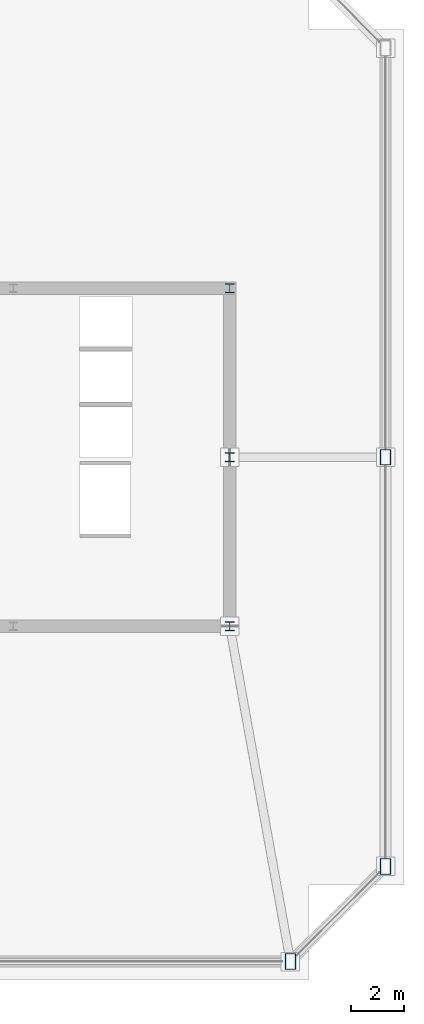
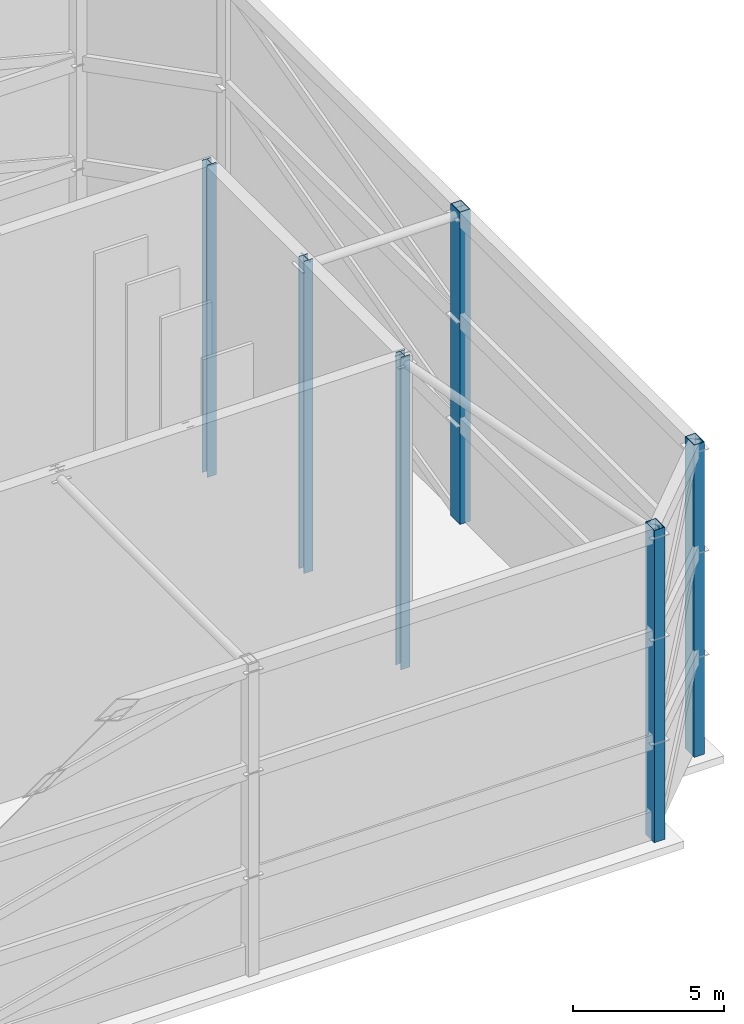
# One storey, part 2 of 6: 6 columns.
"""IFC4 building model written with IfcOpenShell, lengths in metres."""

from ifc_helpers import new_model, si_unit, direction, frame, origin, origin_2d, place, context, subcontext, project, spatial, hollow_rectangle, i_section, extrude, source, transform, mapped, material, material_profile, profile_set, type_object, element, save


model = new_model("IFC4")

# Units and contexts
model_context = context("Model", 3, precision=1e-05, world=origin(), true_north=direction((0.0, 1.0)))
body_context = subcontext(model_context, "Body", "Model", "MODEL_VIEW")
ifc_project = project(units=[si_unit("LENGTHUNIT", "METRE"), si_unit("AREAUNIT", "SQUARE_METRE"), si_unit("VOLUMEUNIT", "CUBIC_METRE"), si_unit("PLANEANGLEUNIT", "RADIAN"), si_unit("MASSUNIT", "GRAM", prefix="KILO"), si_unit("THERMODYNAMICTEMPERATUREUNIT", "KELVIN"), si_unit("POWERUNIT", "WATT")], contexts=[model_context])

# Site, building, storey
site_placement = place(None, origin())
site = spatial("IfcSite", under=ifc_project, at=site_placement, CompositionType="ELEMENT")
building_placement = place(site_placement, origin())
building = spatial("IfcBuilding", under=site, at=building_placement, Name="Yuzanri Waterfront Tower", CompositionType="ELEMENT")
storey_placement = place(building_placement, frame((0.0, 0.0, 351.199951171875)))
storey = spatial("IfcBuildingStorey", under=building, at=storey_placement, Name="L94", CompositionType="ELEMENT", Elevation=351.199951171875)

# Columns
ifc_material_1 = material(Name="Steel Q355B", Category="steel")
ifc_material_profile_1 = material_profile(ifc_material_1, hollow_rectangle(XDim=0.39990234375, YDim=0.60009765625, WallThickness=0.02392578125, at=origin_2d()), Name="RHS 600x400x24")
ifc_profile_set_1 = profile_set([ifc_material_profile_1], Name="Steel Q355B")
column_type_1 = type_object("IfcColumnType", Name="Crown Frame Post Q355B RHS 600x400x24", PredefinedType="COLUMN", material=ifc_profile_set_1)
shared_shape_1 = source(origin(), body_context, "Body", "SweptSolid", [
    extrude(hollow_rectangle(XDim=0.39990234375, YDim=0.60009765625, WallThickness=0.02392578125, at=origin_2d()), origin(), (0.0, 0.0, 1.0), 12.60009765625),
])
for number, where, z_axis, x_axis, name in (
    (1, (52.5, 6.699951171875, 0.0), (0.0, 0.0, 1.0), (1.0, 0.0, 0.0), "L94 CROWN FRAME Perimeter Post CS3"),
    (2, (56.10009765625, 10.300048828125, 0.0), (0.0, 0.0, 1.0), (1.0, 0.0, 0.0), "L94 CROWN FRAME Perimeter Post CE1"),
    (3, (56.10009765625, 25.800048828125, 0.0), (0.0, 0.0, 1.0), (1.0, 0.0, 0.0), "L94 CROWN FRAME Perimeter Post CE2"),
):
    element("IfcColumn", number, at=place(storey_placement, frame(where, z_axis=z_axis, x_axis=x_axis)), inside=storey, type_object=column_type_1, Name=name, PredefinedType="COLUMN", context=body_context, shape_type="MappedRepresentation", body=[
        mapped(shared_shape_1, transform((0.0, 0.0, 0.0), scale=1.0)),
    ])
ifc_material_2 = material(Name="Steel Q355B", Category="steel")
ifc_material_profile_2 = material_profile(ifc_material_2, i_section(OverallWidth=0.35009765625, OverallDepth=0.35009765625, WebThickness=0.011962890625, FlangeThickness=0.01904296875, at=origin_2d()), Name="HW 350x350x12x19")
ifc_profile_set_2 = profile_set([ifc_material_profile_2], Name="Steel Q355B")
column_type_2 = type_object("IfcColumnType", Name="Core Post Q355B HW 350x350x12x19", PredefinedType="COLUMN", material=ifc_profile_set_2)
shared_shape_2 = source(origin(), body_context, "Body", "SweptSolid", [
    extrude(i_section(OverallWidth=0.35009765625, OverallDepth=0.35009765625, WebThickness=0.011962890625, FlangeThickness=0.01904296875, at=origin_2d()), origin(), (0.0, 0.0, 1.0), 12.60009765625),
])
for number, where, z_axis, x_axis, name in (
    (4, (50.199951171875, 19.39990234375, 0.0), (0.0, 0.0, 1.0), (1.0, 0.0, 0.0), "L94 Crown Core Post CP3"),
    (5, (50.199951171875, 25.800048828125, 0.0), (0.0, 0.0, 1.0), (1.0, 0.0, 0.0), "L94 Crown Core Post CP5"),
    (6, (50.199951171875, 32.199951171875, 0.0), (0.0, 0.0, 1.0), (1.0, 0.0, 0.0), "L94 Crown Core Post CP8"),
):
    element("IfcColumn", number, at=place(storey_placement, frame(where, z_axis=z_axis, x_axis=x_axis)), inside=storey, type_object=column_type_2, Name=name, PredefinedType="COLUMN", context=body_context, shape_type="MappedRepresentation", body=[
        mapped(shared_shape_2, transform((0.0, 0.0, 0.0), scale=1.0)),
    ])

save(model, "model.ifc")
